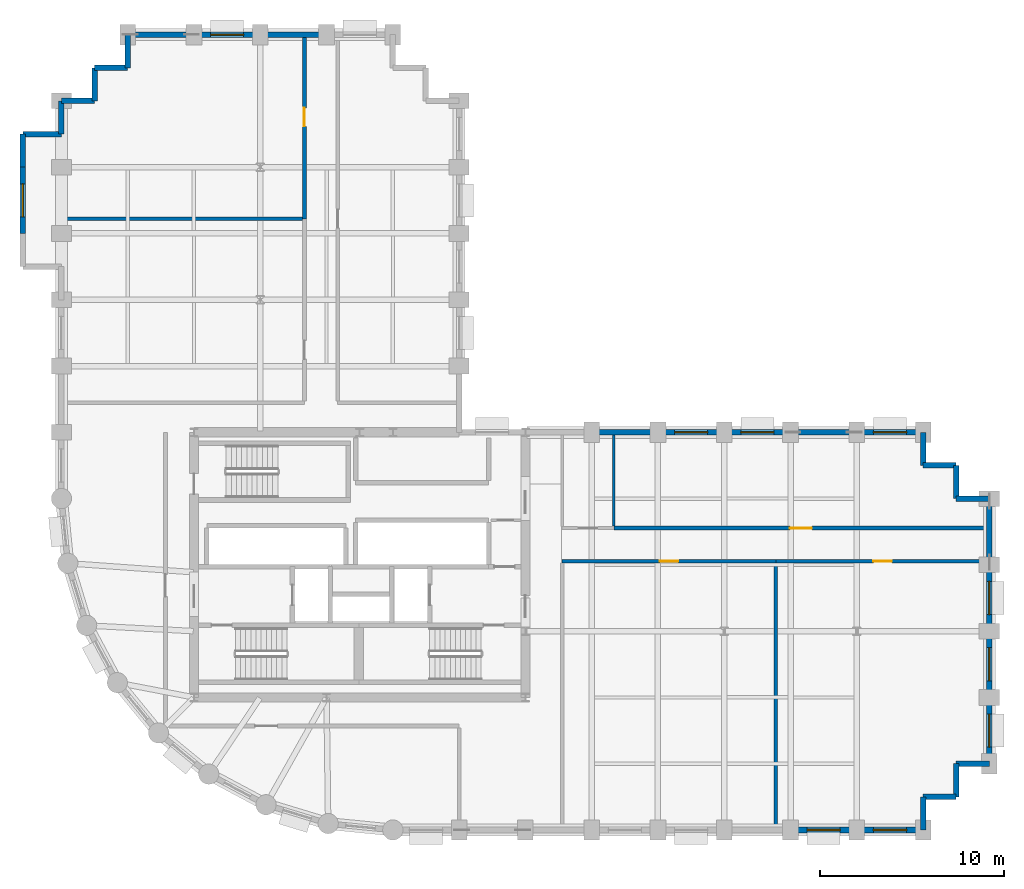
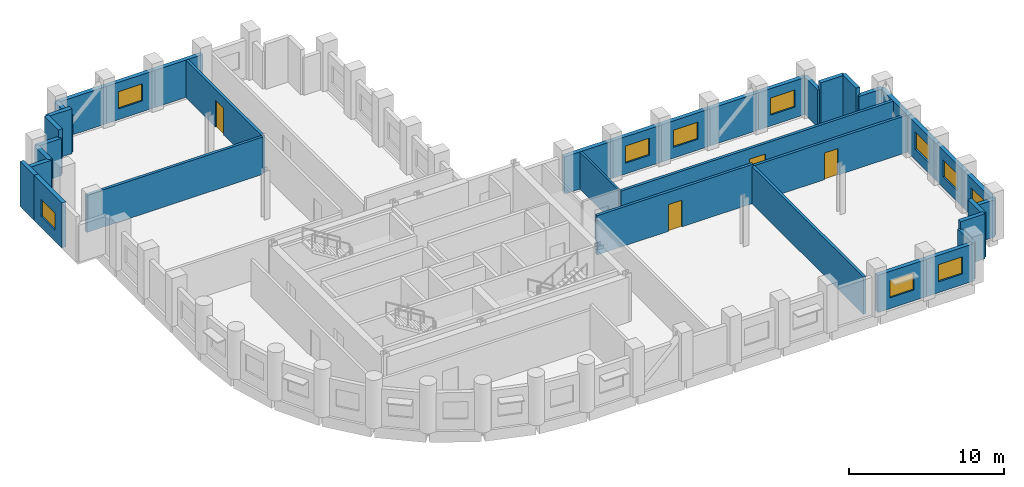
# One storey, part 5 of 8: 37 walls, 10 windows, 4 doors, 14 openings.
"""IFC4 building model written with IfcOpenShell, lengths in metres."""

import ifcopenshell
import ifcopenshell.guid

model = None  # the IFC model being written
_history = None  # IfcOwnerHistory: only IFC2X3 demands one
_inside = {}  # id of a spatial element -> (the spatial element, [elements in it])
_under = {}  # id of a project, library or spatial element -> (it, [spatial elements below it])
_declared = {}  # id of a project -> (the project, [libraries it declares])
_typed = {}  # id of a type object -> (the type object, [elements of that type])
_made_of = {}  # id of a material, layer set ... -> (it, [elements and type objects made of it])


def new_model(schema):
    """Start an empty IFC model of exactly this schema.

    Asked for "IFC4X3", IfcOpenShell would pick the latest addendum, in which some entities
    have other attributes; the version numbers below select the first issue.
    IFC2X3 requires an IfcOwnerHistory on every rooted entity: one is made here for all.
    """
    global model, _history
    if schema == "IFC4X3":
        model = ifcopenshell.file(schema_version=(4, 3, 0, 0))
    else:
        model = ifcopenshell.file(schema=schema)
    _inside.clear()
    _under.clear()
    _declared.clear()
    _typed.clear()
    _made_of.clear()
    _history = None
    if model.schema == "IFC2X3":
        org = make("IfcOrganization", Name="unknown")
        user = make(
            "IfcPersonAndOrganization",
            ThePerson=make("IfcPerson", FamilyName="unknown"),
            TheOrganization=org,
        )
        app = make(
            "IfcApplication",
            ApplicationDeveloper=org,
            Version="unknown",
            ApplicationFullName="unknown",
            ApplicationIdentifier="unknown",
        )
        _history = make(
            "IfcOwnerHistory",
            OwningUser=user,
            OwningApplication=app,
            ChangeAction="ADDED",
            CreationDate=0,
        )
    return model


def make(cls, **values):
    """One entity of the class cls with the attributes given. An attribute that is None is left unset."""
    return model.create_entity(
        cls, **{name: value for name, value in values.items() if value is not None}
    )


def rooted(cls, **values):
    """An entity with a GlobalId (a new one), such as an element, a storey or a relation."""
    return make(cls, GlobalId=ifcopenshell.guid.new(), OwnerHistory=_history, **values)


def si_unit(unit_type, name, prefix=None):
    """IfcSIUnit, for example si_unit("LENGTHUNIT", "METRE", prefix="MILLI")."""
    return make("IfcSIUnit", UnitType=unit_type, Prefix=prefix, Name=name)


def assignment(units):
    """IfcUnitAssignment: the units of a project."""
    return None if units is None else make("IfcUnitAssignment", Units=units)


def point(xyz):
    """IfcCartesianPoint."""
    return None if xyz is None else make("IfcCartesianPoint", Coordinates=xyz)


def direction(xyz):
    """IfcDirection."""
    return None if xyz is None else make("IfcDirection", DirectionRatios=xyz)


def frame(location, z_axis=None, x_axis=None):
    """IfcAxis2Placement3D, a coordinate frame: its origin and axes. An axis left out is left unset."""
    return make(
        "IfcAxis2Placement3D",
        Location=point(location),
        Axis=direction(z_axis),
        RefDirection=direction(x_axis),
    )


def frame_2d(location, x_axis=None):
    """IfcAxis2Placement2D, a coordinate frame in the plane: its origin and x axis."""
    return make(
        "IfcAxis2Placement2D", Location=point(location), RefDirection=direction(x_axis)
    )


def origin():
    """The frame at (0, 0, 0) with its axes left unset."""
    return frame((0.0, 0.0, 0.0))


def place(relative_to, where):
    """IfcLocalPlacement: puts the frame where relative to a parent placement (None: the world)."""
    return make(
        "IfcLocalPlacement", PlacementRelTo=relative_to, RelativePlacement=where
    )


def context(
    kind, dimensions, precision=None, world=None, true_north=None, identifier=None
):
    """IfcGeometricRepresentationContext, for example the 3D "Model" context."""
    return make(
        "IfcGeometricRepresentationContext",
        ContextIdentifier=identifier,
        ContextType=kind,
        CoordinateSpaceDimension=dimensions,
        Precision=precision,
        WorldCoordinateSystem=world,
        TrueNorth=true_north,
    )


def subcontext(parent, identifier, kind, view, scale=None):
    """IfcGeometricRepresentationSubContext, for example "Body" below "Model"."""
    return make(
        "IfcGeometricRepresentationSubContext",
        ContextIdentifier=identifier,
        ContextType=kind,
        ParentContext=parent,
        TargetScale=scale,
        TargetView=view,
    )


def project(units=None, contexts=None):
    """IfcProject with its units and contexts."""
    return rooted(
        "IfcProject",
        Name="project",
        RepresentationContexts=contexts,
        UnitsInContext=assignment(units),
    )


def spatial(cls, under=None, at=None, **own):
    """A site, building, storey or space (cls), placed at a placement, below another one or the project."""
    s = rooted(cls, ObjectPlacement=at, **own)
    if under is not None:
        _under.setdefault(under.id(), (under, []))[1].append(s)
    return s


def profile(cls, at=None, kind="AREA", **sizes):
    """A parametric profile (cls). Its sizes go by their IFC names, for example OverallWidth=200.0."""
    return make(cls, ProfileType=kind, Position=at, **sizes)


def rectangle(**sizes):
    """IfcRectangleProfileDef."""
    return profile("IfcRectangleProfileDef", **sizes)


def extrude(swept, where, along, depth):
    """IfcExtrudedAreaSolid: the profile swept, set in the frame where, extruded along a direction by depth."""
    return make(
        "IfcExtrudedAreaSolid",
        SweptArea=swept,
        Position=where,
        ExtrudedDirection=direction(along),
        Depth=depth,
    )


def shape(context_of_items, identifier, shape_type, items):
    """IfcShapeRepresentation: the items that make up one representation, for example the "Body"."""
    return make(
        "IfcShapeRepresentation",
        ContextOfItems=context_of_items,
        RepresentationIdentifier=identifier,
        RepresentationType=shape_type,
        Items=items,
    )


def material(Name=None, Category=None):
    """IfcMaterial."""
    return make("IfcMaterial", Name=Name, Category=Category)


def layer(
    of_material, thickness, ventilated=None, Name=None, Category=None, Priority=None
):
    """IfcMaterialLayer: one layer of a wall or slab, of a material (None: an air gap)."""
    return make(
        "IfcMaterialLayer",
        Material=of_material,
        LayerThickness=thickness,
        IsVentilated=ventilated,
        Name=Name,
        Category=Category,
        Priority=Priority,
    )


def layer_set(layers, Name=None):
    """IfcMaterialLayerSet."""
    return make("IfcMaterialLayerSet", MaterialLayers=layers, LayerSetName=Name)


def made_of(thing, what):
    """Note that an element or type object is made of a material, layer set ...; save() writes the relation."""
    if what is not None:
        _made_of.setdefault(what.id(), (what, []))[1].append(thing)
    return thing


def type_object(cls, material=None, **own):
    """A type object (cls), such as IfcWallType, which elements share."""
    return made_of(rooted(cls, **own), material)


def element(
    cls,
    number,
    at=None,
    inside=None,
    cuts=None,
    type_object=None,
    material=None,
    context=None,
    identifier="Body",
    shape_type=None,
    held_by="IfcProductDefinitionShape",
    body=None,
    shapes=None,
    **own,
):
    """One element of the class cls, such as IfcWall. Its Tag is "e" and its number.

    at: its placement. inside: the storey or other place that contains it. cuts: it is an
    opening in that element (IfcRelVoidsElement). A single representation is given by context,
    identifier, shape_type and body (its items); several are given by shapes. held_by: the class
    of the entity that holds the representations. save() writes the other relations.
    """
    e = rooted(cls, Tag="e%d" % number, ObjectPlacement=at, **own)
    if body is not None:
        shapes = [shape(context, identifier, shape_type, body)]
    if shapes is not None:
        e.Representation = make(held_by, Representations=shapes)
    if inside is not None:
        _inside.setdefault(inside.id(), (inside, []))[1].append(e)
    if cuts is not None:
        rooted(
            "IfcRelVoidsElement", RelatingBuildingElement=cuts, RelatedOpeningElement=e
        )
    if type_object is not None:
        _typed.setdefault(type_object.id(), (type_object, []))[1].append(e)
    return made_of(e, material)


def fill(opening, filler):
    """IfcRelFillsElement: the door or window that sits in an opening."""
    return rooted(
        "IfcRelFillsElement",
        RelatingOpeningElement=opening,
        RelatedBuildingElement=filler,
    )


def aggregate(whole, parts):
    """IfcRelAggregates: a whole, such as a stair, and the parts it consists of."""
    return rooted("IfcRelAggregates", RelatingObject=whole, RelatedObjects=parts)


def save(model, path):
    """Write the relations noted so far, then the file.

    IfcRelAggregates (storeys below a building ...), IfcRelContainedInSpatialStructure (elements
    in a storey), IfcRelDefinesByType, IfcRelAssociatesMaterial and IfcRelDeclares: one each for
    every whole, place, type object, material and project.
    """
    for whole, parts in _under.values():
        aggregate(whole, parts)
    for where, things in _inside.values():
        rooted(
            "IfcRelContainedInSpatialStructure",
            RelatedElements=things,
            RelatingStructure=where,
        )
    for kind, things in _typed.values():
        rooted("IfcRelDefinesByType", RelatedObjects=things, RelatingType=kind)
    for what, things in _made_of.values():
        rooted("IfcRelAssociatesMaterial", RelatedObjects=things, RelatingMaterial=what)
    for by, libraries in _declared.values():
        rooted("IfcRelDeclares", RelatingContext=by, RelatedDefinitions=libraries)
    model.write(path)


model = new_model("IFC4")

# Units and contexts
model_context = context("Model", 3, precision=1e-05, world=origin(), true_north=direction((0.0, 1.0)))
body_context = subcontext(model_context, "Body", "Model", "MODEL_VIEW")
ifc_project = project(units=[si_unit("LENGTHUNIT", "METRE"), si_unit("AREAUNIT", "SQUARE_METRE"), si_unit("VOLUMEUNIT", "CUBIC_METRE"), si_unit("PLANEANGLEUNIT", "RADIAN"), si_unit("MASSUNIT", "GRAM", prefix="KILO")], contexts=[model_context])

# Site, building, storey
site_placement = place(None, origin())
site = spatial("IfcSite", under=ifc_project, at=site_placement, CompositionType="ELEMENT")
building_placement = place(site_placement, origin())
building = spatial("IfcBuilding", under=site, at=building_placement, Name="Solnavia Interchange Tower", CompositionType="ELEMENT")
storey_placement = place(building_placement, frame((0.0, 0.0, 120.0)))
storey = spatial("IfcBuildingStorey", under=building, at=storey_placement, Name="L29", CompositionType="ELEMENT", Elevation=120.0)

# Wall, opening, window
ifc_material_1 = material(Name="Concrete C40/50", Category="concrete")
ifc_layer_1 = layer(ifc_material_1, 0.300048828125)
ifc_layer_set_1 = layer_set([ifc_layer_1], Name="Concrete C40/50")
wall_type_1 = type_object("IfcWallType", Name="Wall-ExtSpandrel-300", PredefinedType="STANDARD", material=ifc_layer_set_1)
wall_1_placement = place(storey_placement, frame((50.39990234375, 3.60009765625, 0.0), z_axis=(0.0, 0.0, 1.0), x_axis=(-1.0, 0.0, 0.0)))
wall_1 = element("IfcWall", 1, at=wall_1_placement, inside=storey, type_object=wall_type_1, Name="EXW-L29-07 Exterior precast spandrel wall", PredefinedType="STANDARD", context=body_context, shape_type="SweptSolid", body=[
    extrude(rectangle(XDim=3.599853515625, YDim=0.300048828125, at=frame_2d((1.7998046875, 0.0))), origin(), (0.0, 0.0, 1.0), 2.929931640625),
])
opening_1_placement = place(wall_1_placement, frame((0.89990234375, 0.0, 0.85009765625)))
opening_1 = element("IfcOpeningElement", 2, at=opening_1_placement, cuts=wall_1, Name="Opening WIN-02", PredefinedType="OPENING", context=body_context, shape_type="SweptSolid", body=[
    extrude(rectangle(XDim=1.800048828125, YDim=1.35009765625, at=frame_2d((0.89990234375, 0.675048828125))), frame((0.0, 0.16015625, 0.0), z_axis=(0.0, -1.0, 0.0), x_axis=(1.0, 0.0, 0.0)), (0.0, 0.0, 1.0), 0.320068359375),
])
ifc_material_2 = material(Name="Thermal-Break Aluminium & Low-E Glass", Category="aluminium")
window_type = type_object("IfcWindowType", Name="Window-Ribbon-1800x1350", PartitioningType="SINGLE_PANEL", PredefinedType="WINDOW", material=ifc_material_2)
window_1_placement = place(opening_1_placement, origin())
window_1 = element("IfcWindow", 3, at=window_1_placement, inside=storey, type_object=window_type, Name="WIN-L29-07 Facade ribbon window", OverallHeight=1.35009765625, OverallWidth=1.800048828125, PartitioningType="SINGLE_PANEL", PredefinedType="WINDOW", context=body_context, shape_type="SweptSolid", body=[
    extrude(rectangle(XDim=1.800048828125, YDim=1.35009765625, at=frame_2d((0.89990234375, 0.675048828125))), frame((0.0, 0.030029296875, 0.0), z_axis=(0.0, -1.0, 0.0), x_axis=(1.0, 0.0, 0.0)), (0.0, 0.0, 1.0), 0.06005859375),
])
fill(opening_1, window_1)

wall_2_placement = place(storey_placement, frame((54.0, 3.60009765625, 0.0), z_axis=(0.0, 0.0, 1.0), x_axis=(-1.0, 0.0, 0.0)))
wall_2 = element("IfcWall", 4, at=wall_2_placement, inside=storey, type_object=wall_type_1, Name="EXW-L29-08 Exterior precast spandrel wall", PredefinedType="STANDARD", context=body_context, shape_type="SweptSolid", body=[
    extrude(rectangle(XDim=3.60009765625, YDim=0.300048828125, at=frame_2d((1.800048828125, 0.0))), origin(), (0.0, 0.0, 1.0), 2.929931640625),
])
opening_2_placement = place(wall_2_placement, frame((0.89990234375, 0.0, 0.85009765625)))
opening_2 = element("IfcOpeningElement", 5, at=opening_2_placement, cuts=wall_2, Name="Opening WIN-02", PredefinedType="OPENING", context=body_context, shape_type="SweptSolid", body=[
    extrude(rectangle(XDim=1.800048828125, YDim=1.35009765625, at=frame_2d((0.89990234375, 0.675048828125))), frame((0.0, 0.16015625, 0.0), z_axis=(0.0, -1.0, 0.0), x_axis=(1.0, 0.0, 0.0)), (0.0, 0.0, 1.0), 0.320068359375),
])
window_2_placement = place(opening_2_placement, origin())
window_2 = element("IfcWindow", 6, at=window_2_placement, inside=storey, type_object=window_type, Name="WIN-L29-08 Facade ribbon window", OverallHeight=1.35009765625, OverallWidth=1.800048828125, PartitioningType="SINGLE_PANEL", PredefinedType="WINDOW", context=body_context, shape_type="SweptSolid", body=[
    extrude(rectangle(XDim=1.800048828125, YDim=1.35009765625, at=frame_2d((0.89990234375, 0.675048828125))), frame((0.0, 0.030029296875, 0.0), z_axis=(0.0, -1.0, 0.0), x_axis=(1.0, 0.0, 0.0)), (0.0, 0.0, 1.0), 0.06005859375),
])
fill(opening_2, window_2)

# Walls
wall_3_placement = place(storey_placement, frame((54.0, 5.39990234375, 0.0), z_axis=(0.0, 0.0, 1.0), x_axis=(0.0, -1.0, 0.0)))
element("IfcWall", 7, at=wall_3_placement, inside=storey, type_object=wall_type_1, Name="EXW-L29-09 Exterior precast spandrel wall", PredefinedType="STANDARD", context=body_context, shape_type="SweptSolid", body=[
    extrude(rectangle(XDim=1.7998046875, YDim=0.300048828125, at=frame_2d((0.89990234375, 0.0))), origin(), (0.0, 0.0, 1.0), 2.929931640625),
])
for number, where, z_axis, x_axis, name in (
    (8, (55.800048828125, 5.39990234375, 0.0), (0.0, 0.0, 1.0), (-1.0, 0.0, 0.0), "EXW-L29-10 Exterior precast spandrel wall"),
    (9, (55.800048828125, 7.199951171875, 0.0), (0.0, 0.0, 1.0), (0.0, -1.0, 0.0), "EXW-L29-11 Exterior precast spandrel wall"),
):
    element("IfcWall", number, at=place(storey_placement, frame(where, z_axis=z_axis, x_axis=x_axis)), inside=storey, type_object=wall_type_1, Name=name, PredefinedType="STANDARD", context=body_context, shape_type="SweptSolid", body=[
        extrude(rectangle(XDim=1.800048828125, YDim=0.300048828125, at=frame_2d((0.89990234375, 0.0))), origin(), (0.0, 0.0, 1.0), 3.534912109375),
    ])
wall_4_placement = place(storey_placement, frame((57.60009765625, 7.199951171875, 0.0), z_axis=(0.0, 0.0, 1.0), x_axis=(-1.0, 0.0, 0.0)))
element("IfcWall", 10, at=wall_4_placement, inside=storey, type_object=wall_type_1, Name="EXW-L29-12 Exterior precast spandrel wall", PredefinedType="STANDARD", context=body_context, shape_type="SweptSolid", body=[
    extrude(rectangle(XDim=1.800048828125, YDim=0.300048828125, at=frame_2d((0.89990234375, 0.0))), origin(), (0.0, 0.0, 1.0), 2.929931640625),
])

# Wall, opening, window
wall_5_placement = place(storey_placement, frame((57.60009765625, 10.800048828125, 0.0), z_axis=(0.0, 0.0, 1.0), x_axis=(0.0, -1.0, 0.0)))
wall_5 = element("IfcWall", 11, at=wall_5_placement, inside=storey, type_object=wall_type_1, Name="EXW-L29-13 Exterior precast spandrel wall", PredefinedType="STANDARD", context=body_context, shape_type="SweptSolid", body=[
    extrude(rectangle(XDim=3.60009765625, YDim=0.300048828125, at=frame_2d((1.800048828125, 0.0))), origin(), (0.0, 0.0, 1.0), 2.929931640625),
])
opening_3_placement = place(wall_5_placement, frame((0.89990234375, 0.0, 0.85009765625)))
opening_3 = element("IfcOpeningElement", 12, at=opening_3_placement, cuts=wall_5, Name="Opening WIN-02", PredefinedType="OPENING", context=body_context, shape_type="SweptSolid", body=[
    extrude(rectangle(XDim=1.800048828125, YDim=1.35009765625, at=frame_2d((0.89990234375, 0.675048828125))), frame((0.0, 0.16015625, 0.0), z_axis=(0.0, -1.0, 0.0), x_axis=(1.0, 0.0, 0.0)), (0.0, 0.0, 1.0), 0.320068359375),
])
window_3_placement = place(opening_3_placement, origin())
window_3 = element("IfcWindow", 13, at=window_3_placement, inside=storey, type_object=window_type, Name="WIN-L29-13 Facade ribbon window", OverallHeight=1.35009765625, OverallWidth=1.800048828125, PartitioningType="SINGLE_PANEL", PredefinedType="WINDOW", context=body_context, shape_type="SweptSolid", body=[
    extrude(rectangle(XDim=1.800048828125, YDim=1.35009765625, at=frame_2d((0.89990234375, 0.675048828125))), frame((0.0, 0.030029296875, 0.0), z_axis=(0.0, -1.0, 0.0), x_axis=(1.0, 0.0, 0.0)), (0.0, 0.0, 1.0), 0.06005859375),
])
fill(opening_3, window_3)

wall_6_placement = place(storey_placement, frame((57.60009765625, 14.39990234375, 0.0), z_axis=(0.0, 0.0, 1.0), x_axis=(0.0, -1.0, 0.0)))
wall_6 = element("IfcWall", 14, at=wall_6_placement, inside=storey, type_object=wall_type_1, Name="EXW-L29-14 Exterior precast spandrel wall", PredefinedType="STANDARD", context=body_context, shape_type="SweptSolid", body=[
    extrude(rectangle(XDim=3.599853515625, YDim=0.300048828125, at=frame_2d((1.7998046875, 0.0))), origin(), (0.0, 0.0, 1.0), 2.929931640625),
])
opening_4_placement = place(wall_6_placement, frame((0.89990234375, 0.0, 0.85009765625)))
opening_4 = element("IfcOpeningElement", 15, at=opening_4_placement, cuts=wall_6, Name="Opening WIN-02", PredefinedType="OPENING", context=body_context, shape_type="SweptSolid", body=[
    extrude(rectangle(XDim=1.800048828125, YDim=1.35009765625, at=frame_2d((0.89990234375, 0.675048828125))), frame((0.0, 0.16015625, 0.0), z_axis=(0.0, -1.0, 0.0), x_axis=(1.0, 0.0, 0.0)), (0.0, 0.0, 1.0), 0.320068359375),
])
window_4_placement = place(opening_4_placement, origin())
window_4 = element("IfcWindow", 16, at=window_4_placement, inside=storey, type_object=window_type, Name="WIN-L29-14 Facade ribbon window", OverallHeight=1.35009765625, OverallWidth=1.800048828125, PartitioningType="SINGLE_PANEL", PredefinedType="WINDOW", context=body_context, shape_type="SweptSolid", body=[
    extrude(rectangle(XDim=1.800048828125, YDim=1.35009765625, at=frame_2d((0.89990234375, 0.675048828125))), frame((0.0, 0.030029296875, 0.0), z_axis=(0.0, -1.0, 0.0), x_axis=(1.0, 0.0, 0.0)), (0.0, 0.0, 1.0), 0.06005859375),
])
fill(opening_4, window_4)

wall_7_placement = place(storey_placement, frame((57.60009765625, 18.0, 0.0), z_axis=(0.0, 0.0, 1.0), x_axis=(0.0, -1.0, 0.0)))
wall_7 = element("IfcWall", 17, at=wall_7_placement, inside=storey, type_object=wall_type_1, Name="EXW-L29-15 Exterior precast spandrel wall", PredefinedType="STANDARD", context=body_context, shape_type="SweptSolid", body=[
    extrude(rectangle(XDim=3.60009765625, YDim=0.300048828125, at=frame_2d((1.800048828125, 0.0))), origin(), (0.0, 0.0, 1.0), 2.929931640625),
])
opening_5_placement = place(wall_7_placement, frame((0.89990234375, 0.0, 0.85009765625)))
opening_5 = element("IfcOpeningElement", 18, at=opening_5_placement, cuts=wall_7, Name="Opening WIN-02", PredefinedType="OPENING", context=body_context, shape_type="SweptSolid", body=[
    extrude(rectangle(XDim=1.800048828125, YDim=1.35009765625, at=frame_2d((0.89990234375, 0.675048828125))), frame((0.0, 0.16015625, 0.0), z_axis=(0.0, -1.0, 0.0), x_axis=(1.0, 0.0, 0.0)), (0.0, 0.0, 1.0), 0.320068359375),
])
window_5_placement = place(opening_5_placement, origin())
window_5 = element("IfcWindow", 19, at=window_5_placement, inside=storey, type_object=window_type, Name="WIN-L29-15 Facade ribbon window", OverallHeight=1.35009765625, OverallWidth=1.800048828125, PartitioningType="SINGLE_PANEL", PredefinedType="WINDOW", context=body_context, shape_type="SweptSolid", body=[
    extrude(rectangle(XDim=1.800048828125, YDim=1.35009765625, at=frame_2d((0.89990234375, 0.675048828125))), frame((0.0, 0.030029296875, 0.0), z_axis=(0.0, -1.0, 0.0), x_axis=(1.0, 0.0, 0.0)), (0.0, 0.0, 1.0), 0.06005859375),
])
fill(opening_5, window_5)

# Walls
wall_8_placement = place(storey_placement, frame((57.60009765625, 21.60009765625, 0.0), z_axis=(0.0, 0.0, 1.0), x_axis=(0.0, -1.0, 0.0)))
element("IfcWall", 20, at=wall_8_placement, inside=storey, type_object=wall_type_1, Name="EXW-L29-16 Exterior precast spandrel wall", PredefinedType="STANDARD", context=body_context, shape_type="SweptSolid", body=[
    extrude(rectangle(XDim=3.60009765625, YDim=0.300048828125, at=frame_2d((1.800048828125, 0.0))), origin(), (0.0, 0.0, 1.0), 2.929931640625),
])
wall_9_placement = place(storey_placement, frame((55.800048828125, 21.60009765625, 0.0), z_axis=(0.0, 0.0, 1.0), x_axis=(1.0, 0.0, 0.0)))
element("IfcWall", 21, at=wall_9_placement, inside=storey, type_object=wall_type_1, Name="EXW-L29-17 Exterior precast spandrel wall", PredefinedType="STANDARD", context=body_context, shape_type="SweptSolid", body=[
    extrude(rectangle(XDim=1.800048828125, YDim=0.300048828125, at=frame_2d((0.89990234375, 0.0))), origin(), (0.0, 0.0, 1.0), 2.929931640625),
])
wall_10_placement = place(storey_placement, frame((55.800048828125, 23.39990234375, 0.0), z_axis=(0.0, 0.0, 1.0), x_axis=(0.0, -1.0, 0.0)))
element("IfcWall", 22, at=wall_10_placement, inside=storey, type_object=wall_type_1, Name="EXW-L29-18 Exterior precast spandrel wall", PredefinedType="STANDARD", context=body_context, shape_type="SweptSolid", body=[
    extrude(rectangle(XDim=1.7998046875, YDim=0.300048828125, at=frame_2d((0.89990234375, 0.0))), origin(), (0.0, 0.0, 1.0), 3.534912109375),
])
wall_11_placement = place(storey_placement, frame((54.0, 23.39990234375, 0.0), z_axis=(0.0, 0.0, 1.0), x_axis=(1.0, 0.0, 0.0)))
element("IfcWall", 23, at=wall_11_placement, inside=storey, type_object=wall_type_1, Name="EXW-L29-19 Exterior precast spandrel wall", PredefinedType="STANDARD", context=body_context, shape_type="SweptSolid", body=[
    extrude(rectangle(XDim=1.800048828125, YDim=0.300048828125, at=frame_2d((0.89990234375, 0.0))), origin(), (0.0, 0.0, 1.0), 3.534912109375),
])
wall_12_placement = place(storey_placement, frame((54.0, 25.199951171875, 0.0), z_axis=(0.0, 0.0, 1.0), x_axis=(0.0, -1.0, 0.0)))
element("IfcWall", 24, at=wall_12_placement, inside=storey, type_object=wall_type_1, Name="EXW-L29-20 Exterior precast spandrel wall", PredefinedType="STANDARD", context=body_context, shape_type="SweptSolid", body=[
    extrude(rectangle(XDim=1.800048828125, YDim=0.300048828125, at=frame_2d((0.89990234375, 0.0))), origin(), (0.0, 0.0, 1.0), 2.929931640625),
])

# Wall, opening, window
wall_13_placement = place(storey_placement, frame((50.39990234375, 25.199951171875, 0.0), z_axis=(0.0, 0.0, 1.0), x_axis=(1.0, 0.0, 0.0)))
wall_13 = element("IfcWall", 25, at=wall_13_placement, inside=storey, type_object=wall_type_1, Name="EXW-L29-21 Exterior precast spandrel wall", PredefinedType="STANDARD", context=body_context, shape_type="SweptSolid", body=[
    extrude(rectangle(XDim=3.60009765625, YDim=0.300048828125, at=frame_2d((1.800048828125, 0.0))), origin(), (0.0, 0.0, 1.0), 2.929931640625),
])
opening_6_placement = place(wall_13_placement, frame((0.89990234375, 0.0, 0.85009765625)))
opening_6 = element("IfcOpeningElement", 26, at=opening_6_placement, cuts=wall_13, Name="Opening WIN-02", PredefinedType="OPENING", context=body_context, shape_type="SweptSolid", body=[
    extrude(rectangle(XDim=1.800048828125, YDim=1.35009765625, at=frame_2d((0.89990234375, 0.675048828125))), frame((0.0, 0.16015625, 0.0), z_axis=(0.0, -1.0, 0.0), x_axis=(1.0, 0.0, 0.0)), (0.0, 0.0, 1.0), 0.320068359375),
])
window_6_placement = place(opening_6_placement, origin())
window_6 = element("IfcWindow", 27, at=window_6_placement, inside=storey, type_object=window_type, Name="WIN-L29-21 Facade ribbon window", OverallHeight=1.35009765625, OverallWidth=1.800048828125, PartitioningType="SINGLE_PANEL", PredefinedType="WINDOW", context=body_context, shape_type="SweptSolid", body=[
    extrude(rectangle(XDim=1.800048828125, YDim=1.35009765625, at=frame_2d((0.89990234375, 0.675048828125))), frame((0.0, 0.030029296875, 0.0), z_axis=(0.0, -1.0, 0.0), x_axis=(1.0, 0.0, 0.0)), (0.0, 0.0, 1.0), 0.06005859375),
])
fill(opening_6, window_6)

# Wall
wall_14_placement = place(storey_placement, frame((46.800048828125, 25.199951171875, 0.0), z_axis=(0.0, 0.0, 1.0), x_axis=(1.0, 0.0, 0.0)))
element("IfcWall", 28, at=wall_14_placement, inside=storey, type_object=wall_type_1, Name="EXW-L29-22 Exterior precast spandrel wall", PredefinedType="STANDARD", context=body_context, shape_type="SweptSolid", body=[
    extrude(rectangle(XDim=3.599853515625, YDim=0.300048828125, at=frame_2d((1.7998046875, 0.0))), origin(), (0.0, 0.0, 1.0), 2.929931640625),
])

# Wall, opening, window
wall_15_placement = place(storey_placement, frame((43.199951171875, 25.199951171875, 0.0), z_axis=(0.0, 0.0, 1.0), x_axis=(1.0, 0.0, 0.0)))
wall_15 = element("IfcWall", 29, at=wall_15_placement, inside=storey, type_object=wall_type_1, Name="EXW-L29-23 Exterior precast spandrel wall", PredefinedType="STANDARD", context=body_context, shape_type="SweptSolid", body=[
    extrude(rectangle(XDim=3.60009765625, YDim=0.300048828125, at=frame_2d((1.800048828125, 0.0))), origin(), (0.0, 0.0, 1.0), 2.929931640625),
])
opening_7_placement = place(wall_15_placement, frame((0.89990234375, 0.0, 0.85009765625)))
opening_7 = element("IfcOpeningElement", 30, at=opening_7_placement, cuts=wall_15, Name="Opening WIN-02", PredefinedType="OPENING", context=body_context, shape_type="SweptSolid", body=[
    extrude(rectangle(XDim=1.800048828125, YDim=1.35009765625, at=frame_2d((0.89990234375, 0.675048828125))), frame((0.0, 0.16015625, 0.0), z_axis=(0.0, -1.0, 0.0), x_axis=(1.0, 0.0, 0.0)), (0.0, 0.0, 1.0), 0.320068359375),
])
window_7_placement = place(opening_7_placement, origin())
window_7 = element("IfcWindow", 31, at=window_7_placement, inside=storey, type_object=window_type, Name="WIN-L29-23 Facade ribbon window", OverallHeight=1.35009765625, OverallWidth=1.800048828125, PartitioningType="SINGLE_PANEL", PredefinedType="WINDOW", context=body_context, shape_type="SweptSolid", body=[
    extrude(rectangle(XDim=1.800048828125, YDim=1.35009765625, at=frame_2d((0.89990234375, 0.675048828125))), frame((0.0, 0.030029296875, 0.0), z_axis=(0.0, -1.0, 0.0), x_axis=(1.0, 0.0, 0.0)), (0.0, 0.0, 1.0), 0.06005859375),
])
fill(opening_7, window_7)

wall_16_placement = place(storey_placement, frame((39.60009765625, 25.199951171875, 0.0), z_axis=(0.0, 0.0, 1.0), x_axis=(1.0, 0.0, 0.0)))
wall_16 = element("IfcWall", 32, at=wall_16_placement, inside=storey, type_object=wall_type_1, Name="EXW-L29-24 Exterior precast spandrel wall", PredefinedType="STANDARD", context=body_context, shape_type="SweptSolid", body=[
    extrude(rectangle(XDim=3.599853515625, YDim=0.300048828125, at=frame_2d((1.7998046875, 0.0))), origin(), (0.0, 0.0, 1.0), 2.929931640625),
])
opening_8_placement = place(wall_16_placement, frame((0.89990234375, 0.0, 0.85009765625)))
opening_8 = element("IfcOpeningElement", 33, at=opening_8_placement, cuts=wall_16, Name="Opening WIN-02", PredefinedType="OPENING", context=body_context, shape_type="SweptSolid", body=[
    extrude(rectangle(XDim=1.800048828125, YDim=1.35009765625, at=frame_2d((0.89990234375, 0.675048828125))), frame((0.0, 0.16015625, 0.0), z_axis=(0.0, -1.0, 0.0), x_axis=(1.0, 0.0, 0.0)), (0.0, 0.0, 1.0), 0.320068359375),
])
window_8_placement = place(opening_8_placement, origin())
window_8 = element("IfcWindow", 34, at=window_8_placement, inside=storey, type_object=window_type, Name="WIN-L29-24 Facade ribbon window", OverallHeight=1.35009765625, OverallWidth=1.800048828125, PartitioningType="SINGLE_PANEL", PredefinedType="WINDOW", context=body_context, shape_type="SweptSolid", body=[
    extrude(rectangle(XDim=1.800048828125, YDim=1.35009765625, at=frame_2d((0.89990234375, 0.675048828125))), frame((0.0, 0.030029296875, 0.0), z_axis=(0.0, -1.0, 0.0), x_axis=(1.0, 0.0, 0.0)), (0.0, 0.0, 1.0), 0.06005859375),
])
fill(opening_8, window_8)

# Walls
for number, where, z_axis, x_axis, name in (
    (35, (36.0, 25.199951171875, 0.0), (0.0, 0.0, 1.0), (1.0, 0.0, 0.0), "EXW-L29-25 Exterior precast spandrel wall"),
    (36, (18.0, 46.800048828125, 0.0), (0.0, 0.0, 1.0), (1.0, 0.0, 0.0), "EXW-L29-38 Exterior precast spandrel wall"),
):
    element("IfcWall", number, at=place(storey_placement, frame(where, z_axis=z_axis, x_axis=x_axis)), inside=storey, type_object=wall_type_1, Name=name, PredefinedType="STANDARD", context=body_context, shape_type="SweptSolid", body=[
        extrude(rectangle(XDim=3.60009765625, YDim=0.300048828125, at=frame_2d((1.800048828125, 0.0))), origin(), (0.0, 0.0, 1.0), 2.929931640625),
    ])

# Wall, opening, window
wall_17_placement = place(storey_placement, frame((14.39990234375, 46.800048828125, 0.0), z_axis=(0.0, 0.0, 1.0), x_axis=(1.0, 0.0, 0.0)))
wall_17 = element("IfcWall", 37, at=wall_17_placement, inside=storey, type_object=wall_type_1, Name="EXW-L29-39 Exterior precast spandrel wall", PredefinedType="STANDARD", context=body_context, shape_type="SweptSolid", body=[
    extrude(rectangle(XDim=3.60009765625, YDim=0.300048828125, at=frame_2d((1.800048828125, 0.0))), origin(), (0.0, 0.0, 1.0), 2.929931640625),
])
opening_9_placement = place(wall_17_placement, frame((0.89990234375, 0.0, 0.85009765625)))
opening_9 = element("IfcOpeningElement", 38, at=opening_9_placement, cuts=wall_17, Name="Opening WIN-02", PredefinedType="OPENING", context=body_context, shape_type="SweptSolid", body=[
    extrude(rectangle(XDim=1.800048828125, YDim=1.35009765625, at=frame_2d((0.89990234375, 0.675048828125))), frame((0.0, 0.16015625, 0.0), z_axis=(0.0, -1.0, 0.0), x_axis=(1.0, 0.0, 0.0)), (0.0, 0.0, 1.0), 0.320068359375),
])
window_9_placement = place(opening_9_placement, origin())
window_9 = element("IfcWindow", 39, at=window_9_placement, inside=storey, type_object=window_type, Name="WIN-L29-39 Facade ribbon window", OverallHeight=1.35009765625, OverallWidth=1.800048828125, PartitioningType="SINGLE_PANEL", PredefinedType="WINDOW", context=body_context, shape_type="SweptSolid", body=[
    extrude(rectangle(XDim=1.800048828125, YDim=1.35009765625, at=frame_2d((0.89990234375, 0.675048828125))), frame((0.0, 0.030029296875, 0.0), z_axis=(0.0, -1.0, 0.0), x_axis=(1.0, 0.0, 0.0)), (0.0, 0.0, 1.0), 0.06005859375),
])
fill(opening_9, window_9)

# Walls
wall_18_placement = place(storey_placement, frame((10.800048828125, 46.800048828125, 0.0), z_axis=(0.0, 0.0, 1.0), x_axis=(1.0, 0.0, 0.0)))
element("IfcWall", 40, at=wall_18_placement, inside=storey, type_object=wall_type_1, Name="EXW-L29-40 Exterior precast spandrel wall", PredefinedType="STANDARD", context=body_context, shape_type="SweptSolid", body=[
    extrude(rectangle(XDim=3.599853515625, YDim=0.300048828125, at=frame_2d((1.7998046875, 0.0))), origin(), (0.0, 0.0, 1.0), 2.929931640625),
])
wall_19_placement = place(storey_placement, frame((10.800048828125, 45.0, 0.0), z_axis=(0.0, 0.0, 1.0), x_axis=(0.0, 1.0, 0.0)))
element("IfcWall", 41, at=wall_19_placement, inside=storey, type_object=wall_type_1, Name="EXW-L29-41 Exterior precast spandrel wall", PredefinedType="STANDARD", context=body_context, shape_type="SweptSolid", body=[
    extrude(rectangle(XDim=1.800048828125, YDim=0.300048828125, at=frame_2d((0.89990234375, 0.0))), origin(), (0.0, 0.0, 1.0), 2.929931640625),
])
for number, where, z_axis, x_axis, name in (
    (42, (9.0, 45.0, 0.0), (0.0, 0.0, 1.0), (1.0, 0.0, 0.0), "EXW-L29-42 Exterior precast spandrel wall"),
    (43, (9.0, 43.199951171875, 0.0), (0.0, 0.0, 1.0), (0.0, 1.0, 0.0), "EXW-L29-43 Exterior precast spandrel wall"),
):
    element("IfcWall", number, at=place(storey_placement, frame(where, z_axis=z_axis, x_axis=x_axis)), inside=storey, type_object=wall_type_1, Name=name, PredefinedType="STANDARD", context=body_context, shape_type="SweptSolid", body=[
        extrude(rectangle(XDim=1.800048828125, YDim=0.300048828125, at=frame_2d((0.89990234375, 0.0))), origin(), (0.0, 0.0, 1.0), 3.534912109375),
    ])
for number, where, z_axis, x_axis, name in (
    (44, (7.199951171875, 43.199951171875, 0.0), (0.0, 0.0, 1.0), (1.0, 0.0, 0.0), "EXW-L29-44 Exterior precast spandrel wall"),
    (45, (7.199951171875, 41.39990234375, 0.0), (0.0, 0.0, 1.0), (0.0, 1.0, 0.0), "EXW-L29-45 Exterior precast spandrel wall"),
):
    element("IfcWall", number, at=place(storey_placement, frame(where, z_axis=z_axis, x_axis=x_axis)), inside=storey, type_object=wall_type_1, Name=name, PredefinedType="STANDARD", context=body_context, shape_type="SweptSolid", body=[
        extrude(rectangle(XDim=1.800048828125, YDim=0.300048828125, at=frame_2d((0.89990234375, 0.0))), origin(), (0.0, 0.0, 1.0), 2.929931640625),
    ])
wall_20_placement = place(storey_placement, frame((5.10009765625, 41.39990234375, 0.0), z_axis=(0.0, 0.0, 1.0), x_axis=(1.0, 0.0, 0.0)))
element("IfcWall", 46, at=wall_20_placement, inside=storey, type_object=wall_type_1, Name="EXW-L29-46 Exterior precast spandrel wall", PredefinedType="STANDARD", context=body_context, shape_type="SweptSolid", body=[
    extrude(rectangle(XDim=2.099853515625, YDim=0.300048828125, at=frame_2d((1.0498046875, 0.0))), origin(), (0.0, 0.0, 1.0), 2.929931640625),
])
wall_21_placement = place(storey_placement, frame((5.10009765625, 39.60009765625, 0.0), z_axis=(0.0, 0.0, 1.0), x_axis=(0.0, 1.0, 0.0)))
element("IfcWall", 47, at=wall_21_placement, inside=storey, type_object=wall_type_1, Name="EXW-L29-47 Exterior precast spandrel wall", PredefinedType="STANDARD", context=body_context, shape_type="SweptSolid", body=[
    extrude(rectangle(XDim=1.7998046875, YDim=0.300048828125, at=frame_2d((0.89990234375, 0.0))), origin(), (0.0, 0.0, 1.0), 3.534912109375),
])

# Wall, opening, window
wall_22_placement = place(storey_placement, frame((5.10009765625, 36.0, 0.0), z_axis=(0.0, 0.0, 1.0), x_axis=(0.0, 1.0, 0.0)))
wall_22 = element("IfcWall", 48, at=wall_22_placement, inside=storey, type_object=wall_type_1, Name="EXW-L29-48 Exterior precast spandrel wall", PredefinedType="STANDARD", context=body_context, shape_type="SweptSolid", body=[
    extrude(rectangle(XDim=3.60009765625, YDim=0.300048828125, at=frame_2d((1.800048828125, 0.0))), origin(), (0.0, 0.0, 1.0), 3.534912109375),
])
opening_10_placement = place(wall_22_placement, frame((0.89990234375, 0.0, 0.85009765625)))
opening_10 = element("IfcOpeningElement", 49, at=opening_10_placement, cuts=wall_22, Name="Opening WIN-02", PredefinedType="OPENING", context=body_context, shape_type="SweptSolid", body=[
    extrude(rectangle(XDim=1.800048828125, YDim=1.35009765625, at=frame_2d((0.89990234375, 0.675048828125))), frame((0.0, 0.16015625, 0.0), z_axis=(0.0, -1.0, 0.0), x_axis=(1.0, 0.0, 0.0)), (0.0, 0.0, 1.0), 0.320068359375),
])
window_10_placement = place(opening_10_placement, origin())
window_10 = element("IfcWindow", 50, at=window_10_placement, inside=storey, type_object=window_type, Name="WIN-L29-48 Facade ribbon window", OverallHeight=1.35009765625, OverallWidth=1.800048828125, PartitioningType="SINGLE_PANEL", PredefinedType="WINDOW", context=body_context, shape_type="SweptSolid", body=[
    extrude(rectangle(XDim=1.800048828125, YDim=1.35009765625, at=frame_2d((0.89990234375, 0.675048828125))), frame((0.0, 0.030029296875, 0.0), z_axis=(0.0, -1.0, 0.0), x_axis=(1.0, 0.0, 0.0)), (0.0, 0.0, 1.0), 0.06005859375),
])
fill(opening_10, window_10)

# Wall, opening, door
ifc_layer_2 = layer(ifc_material_1, 0.199951171875)
ifc_layer_set_2 = layer_set([ifc_layer_2], Name="Concrete C40/50")
wall_type_2 = type_object("IfcWallType", Name="Wall-PlantFire-200", PredefinedType="PARTITIONING", material=ifc_layer_set_2)
wall_23_placement = place(storey_placement, frame((34.39990234375, 18.199951171875, 0.0), z_axis=(0.0, 0.0, 1.0), x_axis=(1.0, 0.0, 0.0)))
wall_23 = element("IfcWall", 51, at=wall_23_placement, inside=storey, type_object=wall_type_2, Name="PTW-L29-05 Interior partition wall", PredefinedType="PARTITIONING", context=body_context, shape_type="SweptSolid", body=[
    extrude(rectangle(XDim=11.60009765625, YDim=0.199951171875, at=frame_2d((5.800048828125, 0.0))), origin(), (0.0, 0.0, 1.0), 3.080078125),
])
opening_11_placement = place(wall_23_placement, frame((5.300048828125, 0.0, 0.0)))
opening_11 = element("IfcOpeningElement", 52, at=opening_11_placement, cuts=wall_23, Name="Opening DR-04", PredefinedType="OPENING", context=body_context, shape_type="SweptSolid", body=[
    extrude(rectangle(XDim=1.0, YDim=2.10009765625, at=frame_2d((0.5, 1.050048828125))), frame((0.0, 0.10986328125, 0.0), z_axis=(0.0, -1.0, 0.0), x_axis=(1.0, 0.0, 0.0)), (0.0, 0.0, 1.0), 0.219970703125),
])
ifc_material_3 = material(Name="Steel Fire-Rated Plant Door", Category="steel")
door_type_1 = type_object("IfcDoorType", Name="Door-PlantFire-1000x2100", OperationType="SINGLE_SWING_LEFT", PredefinedType="DOOR", material=ifc_material_3)
door_1_placement = place(opening_11_placement, origin())
door_1 = element("IfcDoor", 53, at=door_1_placement, inside=storey, type_object=door_type_1, Name="DR-L29-03 Interior room door", OperationType="SINGLE_SWING_LEFT", OverallHeight=2.10009765625, OverallWidth=1.0, PredefinedType="DOOR", context=body_context, shape_type="SweptSolid", body=[
    extrude(rectangle(XDim=1.0, YDim=2.10009765625, at=frame_2d((0.5, 1.050048828125))), frame((0.0, 0.02490234375, 0.0), z_axis=(0.0, -1.0, 0.0), x_axis=(1.0, 0.0, 0.0)), (0.0, 0.0, 1.0), 0.050048828125),
])
fill(opening_11, door_1)

wall_24_placement = place(storey_placement, frame((46.0, 18.199951171875, 0.0), z_axis=(0.0, 0.0, 1.0), x_axis=(1.0, 0.0, 0.0)))
wall_24 = element("IfcWall", 54, at=wall_24_placement, inside=storey, type_object=wall_type_2, Name="PTW-L29-06 Interior partition wall", PredefinedType="PARTITIONING", context=body_context, shape_type="SweptSolid", body=[
    extrude(rectangle(XDim=11.446044921875, YDim=0.199951171875, at=frame_2d((5.72314453125, 0.0))), origin(), (0.0, 0.0, 1.0), 2.929931640625),
])
opening_12_placement = place(wall_24_placement, frame((5.300048828125, 0.0, 0.0)))
opening_12 = element("IfcOpeningElement", 55, at=opening_12_placement, cuts=wall_24, Name="Opening DR-04", PredefinedType="OPENING", context=body_context, shape_type="SweptSolid", body=[
    extrude(rectangle(XDim=1.0, YDim=2.10009765625, at=frame_2d((0.5, 1.050048828125))), frame((0.0, 0.10986328125, 0.0), z_axis=(0.0, -1.0, 0.0), x_axis=(1.0, 0.0, 0.0)), (0.0, 0.0, 1.0), 0.219970703125),
])
door_2_placement = place(opening_12_placement, origin())
door_2 = element("IfcDoor", 56, at=door_2_placement, inside=storey, type_object=door_type_1, Name="DR-L29-04 Interior room door", OperationType="SINGLE_SWING_RIGHT", OverallHeight=2.10009765625, OverallWidth=1.0, PredefinedType="DOOR", context=body_context, shape_type="SweptSolid", body=[
    extrude(rectangle(XDim=1.0, YDim=2.10009765625, at=frame_2d((0.5, 1.050048828125))), frame((0.0, 0.02490234375, 0.0), z_axis=(0.0, -1.0, 0.0), x_axis=(1.0, 0.0, 0.0)), (0.0, 0.0, 1.0), 0.050048828125),
])
fill(opening_12, door_2)

# Wall
wall_25_placement = place(storey_placement, frame((46.0, 3.75390625, 0.0), z_axis=(0.0, 0.0, 1.0), x_axis=(0.0, 1.0, 0.0)))
element("IfcWall", 57, at=wall_25_placement, inside=storey, type_object=wall_type_2, Name="PTW-L29-08 Interior partition wall", PredefinedType="PARTITIONING", context=body_context, shape_type="SweptSolid", body=[
    extrude(rectangle(XDim=14.342041015625, YDim=0.199951171875, at=frame_2d((7.1708984375, 0.0))), origin(), (0.0, 0.0, 1.0), 2.929931640625),
])

# Wall, opening, door
wall_26_placement = place(storey_placement, frame((37.199951171875, 20.0, 0.0), z_axis=(0.0, 0.0, 1.0), x_axis=(1.0, 0.0, 0.0)))
wall_26 = element("IfcWall", 58, at=wall_26_placement, inside=storey, type_object=wall_type_2, Name="PTW-L29-10 Interior partition wall", PredefinedType="PARTITIONING", context=body_context, shape_type="SweptSolid", body=[
    extrude(rectangle(XDim=20.24609375, YDim=0.199951171875, at=frame_2d((10.123046875, 0.0))), origin(), (0.0, 0.0, 1.0), 2.929931640625),
])
opening_13_placement = place(wall_26_placement, frame((9.56005859375, 0.0, 0.0)))
opening_13 = element("IfcOpeningElement", 59, at=opening_13_placement, cuts=wall_26, Name="Opening DR-02", PredefinedType="OPENING", context=body_context, shape_type="SweptSolid", body=[
    extrude(rectangle(XDim=1.199951171875, YDim=2.10009765625, at=frame_2d((0.60009765625, 1.050048828125))), frame((0.0, 0.10986328125, 0.0), z_axis=(0.0, -1.0, 0.0), x_axis=(1.0, 0.0, 0.0)), (0.0, 0.0, 1.0), 0.219970703125),
])
ifc_material_4 = material(Name="Steel Fire-Rated Vision-Panel Door", Category="steel")
door_type_2 = type_object("IfcDoorType", Name="Door-LobbyFire-1200x2100", OperationType="SINGLE_SWING_RIGHT", PredefinedType="DOOR", material=ifc_material_4)
door_3_placement = place(opening_13_placement, origin())
door_3 = element("IfcDoor", 60, at=door_3_placement, inside=storey, type_object=door_type_2, Name="DR-L29-06 Interior room door", OperationType="SINGLE_SWING_RIGHT", OverallHeight=2.10009765625, OverallWidth=1.199951171875, PredefinedType="DOOR", context=body_context, shape_type="SweptSolid", body=[
    extrude(rectangle(XDim=1.199951171875, YDim=2.10009765625, at=frame_2d((0.60009765625, 1.050048828125))), frame((0.0, 0.02490234375, 0.0), z_axis=(0.0, -1.0, 0.0), x_axis=(1.0, 0.0, 0.0)), (0.0, 0.0, 1.0), 0.050048828125),
])
fill(opening_13, door_3)

wall_27_placement = place(storey_placement, frame((20.39990234375, 36.800048828125, 0.0), z_axis=(0.0, 0.0, 1.0), x_axis=(0.0, 1.0, 0.0)))
wall_27 = element("IfcWall", 61, at=wall_27_placement, inside=storey, type_object=wall_type_2, Name="PTW-L29-16 Interior partition wall", PredefinedType="PARTITIONING", context=body_context, shape_type="SweptSolid", body=[
    extrude(rectangle(XDim=9.845947265625, YDim=0.199951171875, at=frame_2d((4.9228515625, 0.0))), origin(), (0.0, 0.0, 1.0), 2.929931640625),
])
opening_14_placement = place(wall_27_placement, frame((5.02001953125, 0.0, 0.0)))
opening_14 = element("IfcOpeningElement", 62, at=opening_14_placement, cuts=wall_27, Name="Opening DR-04", PredefinedType="OPENING", context=body_context, shape_type="SweptSolid", body=[
    extrude(rectangle(XDim=1.0, YDim=2.10009765625, at=frame_2d((0.5, 1.050048828125))), frame((0.0, 0.10986328125, 0.0), z_axis=(0.0, -1.0, 0.0), x_axis=(1.0, 0.0, 0.0)), (0.0, 0.0, 1.0), 0.219970703125),
])
door_4_placement = place(opening_14_placement, origin())
door_4 = element("IfcDoor", 63, at=door_4_placement, inside=storey, type_object=door_type_1, Name="DR-L29-08 Interior room door", OperationType="SINGLE_SWING_RIGHT", OverallHeight=2.10009765625, OverallWidth=1.0, PredefinedType="DOOR", context=body_context, shape_type="SweptSolid", body=[
    extrude(rectangle(XDim=1.0, YDim=2.10009765625, at=frame_2d((0.5, 1.050048828125))), frame((0.0, 0.02490234375, 0.0), z_axis=(0.0, -1.0, 0.0), x_axis=(1.0, 0.0, 0.0)), (0.0, 0.0, 1.0), 0.050048828125),
])
fill(opening_14, door_4)

# Walls
wall_28_placement = place(storey_placement, frame((7.199951171875, 36.800048828125, 0.0), z_axis=(0.0, 0.0, 1.0), x_axis=(1.0, 0.0, 0.0)))
element("IfcWall", 64, at=wall_28_placement, inside=storey, type_object=wall_type_2, Name="PTW-L29-17 Interior partition wall", PredefinedType="PARTITIONING", context=body_context, shape_type="SweptSolid", body=[
    extrude(rectangle(XDim=13.095947265625, YDim=0.199951171875, at=frame_2d((6.5478515625, 0.0))), origin(), (0.0, 0.0, 1.0), 2.929931640625),
])
ifc_material_5 = material(Name="Moisture-Resistant Gypsum & Steel Stud", Category="steel")
ifc_layer_3 = layer(ifc_material_5, 0.14990234375)
ifc_layer_set_3 = layer_set([ifc_layer_3], Name="Moisture-Resistant Gypsum & Steel Stud")
wall_type_3 = type_object("IfcWallType", Name="Wall-WetRoom-150", PredefinedType="PARTITIONING", material=ifc_layer_set_3)
wall_29_placement = place(storey_placement, frame((37.199951171875, 20.10400390625, 0.0), z_axis=(0.0, 0.0, 1.0), x_axis=(0.0, 1.0, 0.0)))
element("IfcWall", 65, at=wall_29_placement, inside=storey, type_object=wall_type_3, Name="PTW-L29-12 Interior partition wall", PredefinedType="PARTITIONING", context=body_context, shape_type="SweptSolid", body=[
    extrude(rectangle(XDim=4.94189453125, YDim=0.14990234375, at=frame_2d((2.470947265625, 0.0))), origin(), (0.0, 0.0, 1.0), 2.929931640625),
])

save(model, "model.ifc")
